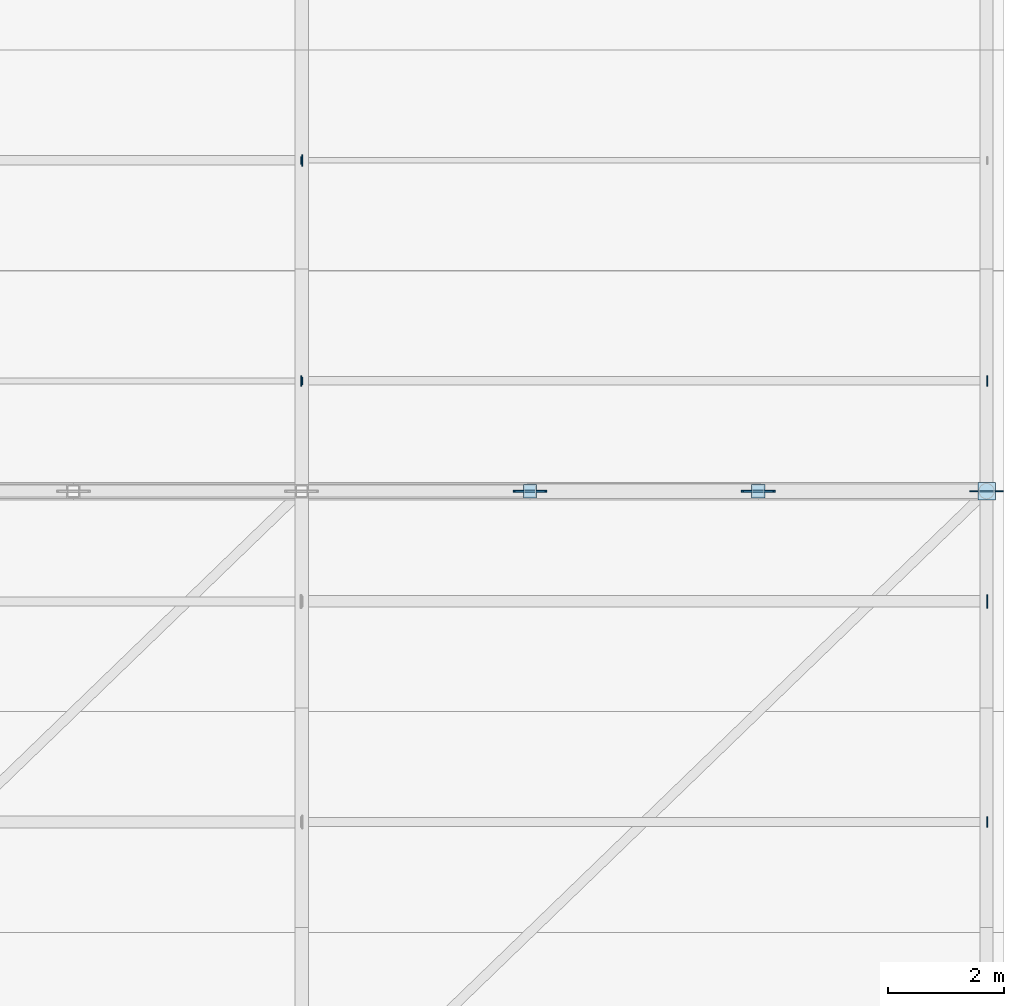
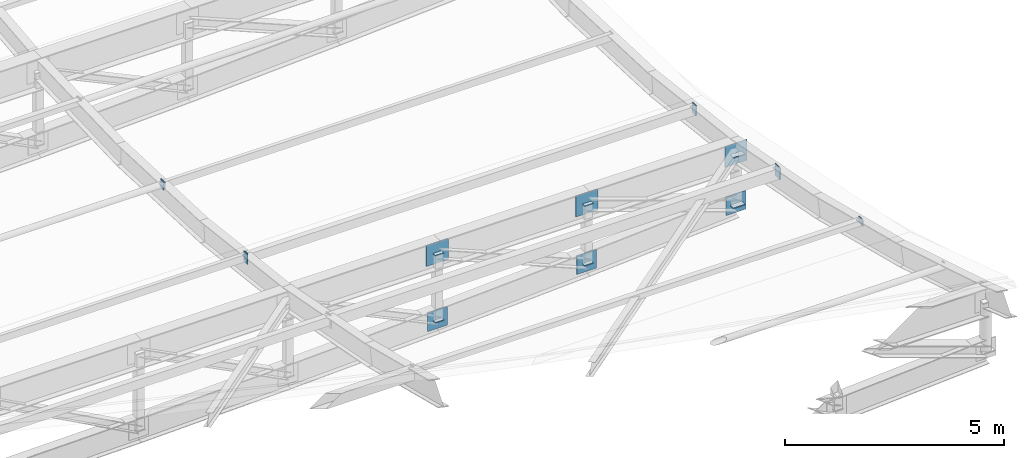
# One storey, part 50 of 65: 19 plates.
"""IFC4 building model written with IfcOpenShell, lengths in metres."""

from ifc_helpers import new_model, si_unit, direction, frame, origin, origin_2d, place, context, subcontext, project, spatial, rectangle, extrude, material, layer, layer_set, type_object, element, save


model = new_model("IFC4")

# Units and contexts
model_context = context("Model", 3, precision=1e-05, world=origin(), true_north=direction((0.0, 1.0)))
body_context = subcontext(model_context, "Body", "Model", "MODEL_VIEW")
ifc_project = project(units=[si_unit("LENGTHUNIT", "METRE"), si_unit("AREAUNIT", "SQUARE_METRE"), si_unit("VOLUMEUNIT", "CUBIC_METRE"), si_unit("PLANEANGLEUNIT", "RADIAN"), si_unit("MASSUNIT", "GRAM", prefix="KILO"), si_unit("POWERUNIT", "WATT"), si_unit("THERMODYNAMICTEMPERATUREUNIT", "KELVIN")], contexts=[model_context])

# Site, building, storey
site_placement = place(None, origin())
site = spatial("IfcSite", under=ifc_project, at=site_placement, CompositionType="ELEMENT")
building_placement = place(site_placement, origin())
building = spatial("IfcBuilding", under=site, at=building_placement, Name="Kelmbourne Parkland Aquatics Centre", CompositionType="ELEMENT")
storey_placement = place(building_placement, frame((0.0, 0.0, 27.0)))
storey = spatial("IfcBuildingStorey", under=building, at=storey_placement, Name="RF", CompositionType="ELEMENT", Elevation=27.0)

# Plates
ifc_material = material(Name="Welded plate steel AS/NZS 3678 Grade 350", Category="steel")
ifc_layer_1 = layer(ifc_material, 0.02001953125)
ifc_layer_set_1 = layer_set([ifc_layer_1], Name="Welded plate steel AS/NZS 3678 Grade 350")
plate_type_1 = type_object("IfcPlateType", Name="PL-CAP-20", PredefinedType="USERDEFINED", material=ifc_layer_set_1)
for number, where, z_axis, x_axis, name in (
    (1, (167.333251953125, 46.39990234375, -14.287109375), (0.0, 0.0, 1.0), (1.0, 0.0, 0.0), "Hollow end cap plate CAP-0139"),
    (2, (167.333251953125, 46.39990234375, -12.4169921875), (0.0, 0.0, 1.0), (1.0, 0.0, 0.0), "Hollow end cap plate CAP-0140"),
    (3, (171.2666015625, 46.39990234375, -14.07470703125), (0.0, 0.0, 1.0), (1.0, 0.0, 0.0), "Hollow end cap plate CAP-0141"),
    (4, (171.2666015625, 46.39990234375, -12.4169921875), (0.0, 0.0, 1.0), (1.0, 0.0, 0.0), "Hollow end cap plate CAP-0142"),
):
    element("IfcPlate", number, at=place(storey_placement, frame(where, z_axis=z_axis, x_axis=x_axis)), inside=storey, type_object=plate_type_1, Name=name, ObjectType="END CAP PLATE", PredefinedType="USERDEFINED", context=body_context, shape_type="SweptSolid", body=[
        extrude(rectangle(XDim=0.22998046875, YDim=0.22998046875, at=origin_2d()), origin(), (0.0, 0.0, 1.0), 0.02001953125),
    ])
plate_1_placement = place(storey_placement, frame((175.208984375, 40.699951171875, -10.94140625), z_axis=(0.0, 0.0, 1.0), x_axis=(1.0, 0.0, 0.0)))
element("IfcPlate", 5, at=plate_1_placement, inside=storey, type_object=plate_type_1, Name="Hollow end cap plate CAP-0388", ObjectType="END CAP PLATE", PredefinedType="USERDEFINED", context=body_context, shape_type="SweptSolid", body=[
    extrude(rectangle(XDim=0.02001953125, YDim=0.179931640625, at=origin_2d()), origin(), (0.0, 0.0, 1.0), 0.179931640625),
])
plate_2_placement = place(storey_placement, frame((163.408935546875, 48.300048828125, -12.426513671875), z_axis=(0.0, 0.0, 1.0), x_axis=(1.0, 0.0, 0.0)))
element("IfcPlate", 6, at=plate_2_placement, inside=storey, type_object=plate_type_1, Name="Hollow end cap plate CAP-0402", ObjectType="END CAP PLATE", PredefinedType="USERDEFINED", context=body_context, shape_type="SweptSolid", body=[
    extrude(rectangle(XDim=0.02001953125, YDim=0.1298828125, at=origin_2d()), origin(), (0.0, 0.0, 1.0), 0.22998046875),
])
for number, where, z_axis, x_axis, name in (
    (7, (163.39111328125, 48.300048828125, -12.4765625), (0.0, 0.0, 1.0), (-1.0, 0.0, 0.0), "Hollow end cap plate CAP-0403"),
    (8, (175.208984375, 48.300048828125, -12.4765625), (0.0, 0.0, 1.0), (1.0, 0.0, 0.0), "Hollow end cap plate CAP-0404"),
):
    element("IfcPlate", number, at=place(storey_placement, frame(where, z_axis=z_axis, x_axis=x_axis)), inside=storey, type_object=plate_type_1, Name=name, ObjectType="END CAP PLATE", PredefinedType="USERDEFINED", context=body_context, shape_type="SweptSolid", body=[
        extrude(rectangle(XDim=0.02001953125, YDim=0.179931640625, at=origin_2d()), origin(), (0.0, 0.0, 1.0), 0.280029296875),
    ])
plate_3_placement = place(storey_placement, frame((163.408935546875, 52.10009765625, -12.69677734375), z_axis=(0.0, 0.0, 1.0), x_axis=(1.0, 0.0, 0.0)))
element("IfcPlate", 9, at=plate_3_placement, inside=storey, type_object=plate_type_1, Name="Hollow end cap plate CAP-0410", ObjectType="END CAP PLATE", PredefinedType="USERDEFINED", context=body_context, shape_type="SweptSolid", body=[
    extrude(rectangle(XDim=0.02001953125, YDim=0.1982421875, at=origin_2d()), origin(), (0.0, 0.0, 1.0), 0.1982421875),
])
plate_4_placement = place(storey_placement, frame((163.39111328125, 52.10009765625, -12.728515625), z_axis=(0.0, 0.0, 1.0), x_axis=(-1.0, 0.0, 0.0)))
element("IfcPlate", 10, at=plate_4_placement, inside=storey, type_object=plate_type_1, Name="Hollow end cap plate CAP-0411", ObjectType="END CAP PLATE", PredefinedType="USERDEFINED", context=body_context, shape_type="SweptSolid", body=[
    extrude(rectangle(XDim=0.02001953125, YDim=0.1298828125, at=origin_2d()), origin(), (0.0, 0.0, 1.0), 0.22998046875),
])
ifc_layer_2 = layer(ifc_material, 0.02392578125)
ifc_layer_set_2 = layer_set([ifc_layer_2], Name="Welded plate steel AS/NZS 3678 Grade 350")
plate_type_2 = type_object("IfcPlateType", Name="PL-CAP-24", PredefinedType="USERDEFINED", material=ifc_layer_set_2)
for number, where, z_axis, x_axis, name in (
    (11, (175.199951171875, 46.39990234375, -13.81884765625), (0.0, 0.0, 1.0), (1.0, 0.0, 0.0), "Hollow end cap plate CAP-0143"),
    (12, (175.199951171875, 46.39990234375, -12.416748046875), (0.0, 0.0, 1.0), (1.0, 0.0, 0.0), "Hollow end cap plate CAP-0144"),
):
    element("IfcPlate", number, at=place(storey_placement, frame(where, z_axis=z_axis, x_axis=x_axis)), inside=storey, type_object=plate_type_2, Name=name, ObjectType="END CAP PLATE", PredefinedType="USERDEFINED", context=body_context, shape_type="SweptSolid", body=[
        extrude(rectangle(XDim=0.302978515625, YDim=0.302978515625, at=origin_2d()), origin(), (0.0, 0.0, 1.0), 0.02392578125),
    ])
plate_5_placement = place(storey_placement, frame((175.2109375, 44.5, -11.9375), z_axis=(0.0, 0.0, 1.0), x_axis=(1.0, 0.0, 0.0)))
element("IfcPlate", 13, at=plate_5_placement, inside=storey, type_object=plate_type_2, Name="Hollow end cap plate CAP-0396", ObjectType="END CAP PLATE", PredefinedType="USERDEFINED", context=body_context, shape_type="SweptSolid", body=[
    extrude(rectangle(XDim=0.02392578125, YDim=0.22998046875, at=origin_2d()), origin(), (0.0, 0.0, 1.0), 0.330078125),
])
ifc_layer_3 = layer(ifc_material, 0.02001953125)
ifc_layer_set_3 = layer_set([ifc_layer_3], Name="Welded plate steel AS/NZS 3678 Grade 350")
plate_type_3 = type_object("IfcPlateType", Name="PL-GUS-1", PredefinedType="USERDEFINED", material=ifc_layer_set_3)
plate_6_placement = place(storey_placement, frame((175.199951171875, 46.39990234375, -12.7060546875), z_axis=(0.0, 0.0, 1.0), x_axis=(1.0, 0.0, 0.0)))
element("IfcPlate", 14, at=plate_6_placement, inside=storey, type_object=plate_type_3, Name="Truss top node TN-1 gusset plate R04-N12", ObjectType="GUSSET PLATE", PredefinedType="USERDEFINED", context=body_context, shape_type="SweptSolid", body=[
    extrude(rectangle(XDim=0.580078125, YDim=0.02001953125, at=origin_2d()), origin(), (0.0, 0.0, 1.0), 0.580078125),
])
plate_7_placement = place(storey_placement, frame((175.199951171875, 46.39990234375, -14.055908203125), z_axis=(0.0, 0.0, 1.0), x_axis=(1.0, 0.0, 0.0)))
element("IfcPlate", 15, at=plate_7_placement, inside=storey, type_object=plate_type_3, Name="Truss bottom node TN-1 gusset plate R04-B12", ObjectType="GUSSET PLATE", PredefinedType="USERDEFINED", context=body_context, shape_type="SweptSolid", body=[
    extrude(rectangle(XDim=0.52001953125, YDim=0.02001953125, at=origin_2d()), origin(), (0.0, 0.0, 1.0), 0.52001953125),
])
ifc_layer_4 = layer(ifc_material, 0.031982421875)
ifc_layer_set_4 = layer_set([ifc_layer_4], Name="Welded plate steel AS/NZS 3678 Grade 350")
plate_type_4 = type_object("IfcPlateType", Name="PL-GUS-3", PredefinedType="USERDEFINED", material=ifc_layer_set_4)
plate_8_placement = place(storey_placement, frame((167.333251953125, 46.39990234375, -12.7060546875), z_axis=(0.0, 0.0, 1.0), x_axis=(1.0, 0.0, 0.0)))
element("IfcPlate", 16, at=plate_8_placement, inside=storey, type_object=plate_type_4, Name="Truss top node TN-3 gusset plate R04-N10", ObjectType="GUSSET PLATE", PredefinedType="USERDEFINED", context=body_context, shape_type="SweptSolid", body=[
    extrude(rectangle(XDim=0.580078125, YDim=0.031982421875, at=origin_2d()), origin(), (0.0, 0.0, 1.0), 0.580078125),
])
plate_9_placement = place(storey_placement, frame((167.333251953125, 46.39990234375, -14.528076171875), z_axis=(0.0, 0.0, 1.0), x_axis=(1.0, 0.0, 0.0)))
element("IfcPlate", 17, at=plate_9_placement, inside=storey, type_object=plate_type_4, Name="Truss bottom node TN-3 gusset plate R04-B10", ObjectType="GUSSET PLATE", PredefinedType="USERDEFINED", context=body_context, shape_type="SweptSolid", body=[
    extrude(rectangle(XDim=0.52001953125, YDim=0.031982421875, at=origin_2d()), origin(), (0.0, 0.0, 1.0), 0.52001953125),
])
plate_10_placement = place(storey_placement, frame((171.2666015625, 46.39990234375, -12.7060546875), z_axis=(0.0, 0.0, 1.0), x_axis=(1.0, 0.0, 0.0)))
element("IfcPlate", 18, at=plate_10_placement, inside=storey, type_object=plate_type_4, Name="Truss top node TN-3 gusset plate R04-N11", ObjectType="GUSSET PLATE", PredefinedType="USERDEFINED", context=body_context, shape_type="SweptSolid", body=[
    extrude(rectangle(XDim=0.580078125, YDim=0.031982421875, at=origin_2d()), origin(), (0.0, 0.0, 1.0), 0.580078125),
])
plate_11_placement = place(storey_placement, frame((171.2666015625, 46.39990234375, -14.315673828125), z_axis=(0.0, 0.0, 1.0), x_axis=(1.0, 0.0, 0.0)))
element("IfcPlate", 19, at=plate_11_placement, inside=storey, type_object=plate_type_4, Name="Truss bottom node TN-3 gusset plate R04-B11", ObjectType="GUSSET PLATE", PredefinedType="USERDEFINED", context=body_context, shape_type="SweptSolid", body=[
    extrude(rectangle(XDim=0.52001953125, YDim=0.031982421875, at=origin_2d()), origin(), (0.0, 0.0, 1.0), 0.52001953125),
])

save(model, "model.ifc")
